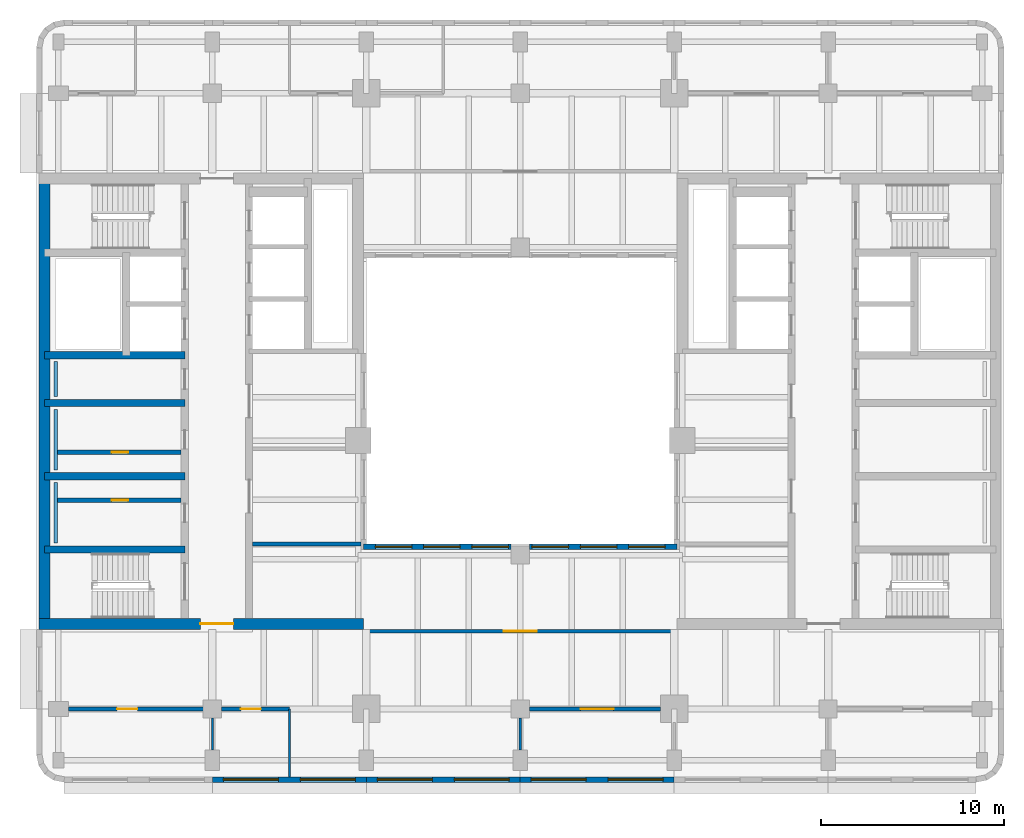
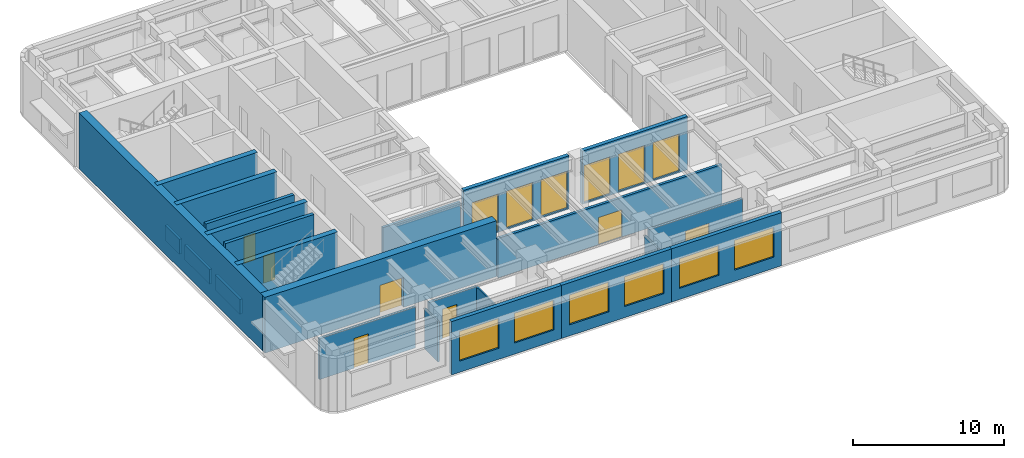
# One storey, part 3 of 13: 24 walls, 12 windows, 7 doors, 19 openings.
"""IFC4 building model written with IfcOpenShell, lengths in metres."""

from ifc_helpers import new_model, si_unit, direction, frame, frame_2d, origin, place, context, subcontext, project, spatial, rectangle, extrude, material, layer, layer_set, type_object, element, fill, save


model = new_model("IFC4")

# Units and contexts
model_context = context("Model", 3, precision=1e-05, world=origin(), true_north=direction((0.0, 1.0)))
body_context = subcontext(model_context, "Body", "Model", "MODEL_VIEW")
ifc_project = project(units=[si_unit("LENGTHUNIT", "METRE"), si_unit("AREAUNIT", "SQUARE_METRE"), si_unit("VOLUMEUNIT", "CUBIC_METRE"), si_unit("PLANEANGLEUNIT", "RADIAN"), si_unit("MASSUNIT", "GRAM", prefix="KILO")], contexts=[model_context])

# Site, building, storey
site_placement = place(None, origin())
site = spatial("IfcSite", under=ifc_project, at=site_placement, CompositionType="ELEMENT")
building_placement = place(site_placement, origin())
building = spatial("IfcBuilding", under=site, at=building_placement, Name="Claustro Exchange Tower", CompositionType="ELEMENT")
storey_placement = place(building_placement, frame((0.0, 0.0, 277.199951171875)))
storey = spatial("IfcBuildingStorey", under=building, at=storey_placement, Name="L63", CompositionType="ELEMENT", Elevation=277.199951171875)

# Walls
ifc_material_1 = material(Name="Laminated glass in aluminium frame", Category="aluminium")
ifc_layer_1 = layer(ifc_material_1, 0.1201171875)
ifc_layer_set_1 = layer_set([ifc_layer_1], Name="Laminated glass in aluminium frame")
wall_type_1 = type_object("IfcWallType", Name="P2 120 glazed partition", PredefinedType="PARTITIONING", material=ifc_layer_set_1)
wall_1_placement = place(storey_placement, frame((8.39990234375, 6.14892578125, 0.0), z_axis=(0.0, 0.0, 1.0), x_axis=(0.0, 1.0, 0.0)))
element("IfcWall", 1, at=wall_1_placement, inside=storey, type_object=wall_type_1, Name="Partition P2 L63", PredefinedType="PARTITIONING", context=body_context, shape_type="SweptSolid", body=[
    extrude(rectangle(XDim=1.751953125, YDim=0.1201171875, at=frame_2d((0.8759765625, 0.0))), origin(), (0.0, 0.0, 1.0), 3.2919921875),
])
wall_2_placement = place(storey_placement, frame((12.60009765625, 4.699951171875, 0.0), z_axis=(0.0, 0.0, 1.0), x_axis=(0.0, 1.0, 0.0)))
element("IfcWall", 2, at=wall_2_placement, inside=storey, type_object=wall_type_1, Name="Partition P2 L63", PredefinedType="PARTITIONING", context=body_context, shape_type="SweptSolid", body=[
    extrude(rectangle(XDim=3.699951171875, YDim=0.1201171875, at=frame_2d((1.85009765625, 0.0))), origin(), (0.0, 0.0, 1.0), 3.2919921875),
])
wall_3_placement = place(storey_placement, frame((25.199951171875, 6.14892578125, 0.0), z_axis=(0.0, 0.0, 1.0), x_axis=(0.0, 1.0, 0.0)))
element("IfcWall", 3, at=wall_3_placement, inside=storey, type_object=wall_type_1, Name="Partition P2 L63", PredefinedType="PARTITIONING", context=body_context, shape_type="SweptSolid", body=[
    extrude(rectangle(XDim=1.751953125, YDim=0.1201171875, at=frame_2d((0.8759765625, 0.0))), origin(), (0.0, 0.0, 1.0), 3.2919921875),
])
ifc_material_2 = material(Name="Twin-skin gypsum board on steel studs, mineral wool", Category="steel")
ifc_layer_2 = layer(ifc_material_2, 0.199951171875)
ifc_layer_set_2 = layer_set([ifc_layer_2], Name="Twin-skin gypsum board on steel studs, mineral wool")
wall_type_2 = type_object("IfcWallType", Name="P3 200 acoustic partition", PredefinedType="PARTITIONING", material=ifc_layer_set_2)
wall_4_placement = place(storey_placement, frame((10.597900390625, 17.39990234375, 0.0), z_axis=(0.0, 0.0, 1.0), x_axis=(1.0, 0.0, 0.0)))
element("IfcWall", 4, at=wall_4_placement, inside=storey, type_object=wall_type_2, Name="Partition P3 L63", PredefinedType="PARTITIONING", context=body_context, shape_type="SweptSolid", body=[
    extrude(rectangle(XDim=5.904052734375, YDim=0.199951171875, at=frame_2d((2.9521484375, 0.0))), origin(), (0.0, 0.0, 1.0), 3.2919921875),
])

# Wall, opening, door
wall_5_placement = place(storey_placement, frame((0.549072265625, 8.39990234375, 0.0), z_axis=(0.0, 0.0, 1.0), x_axis=(1.0, 0.0, 0.0)))
wall_5 = element("IfcWall", 5, at=wall_5_placement, inside=storey, type_object=wall_type_2, Name="Partition P3 L63", PredefinedType="PARTITIONING", context=body_context, shape_type="SweptSolid", body=[
    extrude(rectangle(XDim=7.351806640625, YDim=0.199951171875, at=frame_2d((3.67578125, 0.0))), origin(), (0.0, 0.0, 1.0), 3.2919921875),
])
opening_1_placement = place(wall_5_placement, frame((2.65087890625, 0.0, 0.0)))
opening_1 = element("IfcOpeningElement", 6, at=opening_1_placement, cuts=wall_5, Name="Opening D8", PredefinedType="OPENING", context=body_context, shape_type="SweptSolid", body=[
    extrude(rectangle(XDim=1.10009765625, YDim=2.39990234375, at=frame_2d((0.550048828125, 1.199951171875))), frame((0.0, 0.10986328125, 0.0), z_axis=(0.0, -1.0, 0.0), x_axis=(1.0, 0.0, 0.0)), (0.0, 0.0, 1.0), 0.219970703125),
])
ifc_material_3 = material(Name="Timber door, walnut veneer", Category="wood")
door_type_1 = type_object("IfcDoorType", Name="D8 1100 x 2400 executive door", OperationType="SINGLE_SWING_LEFT", PredefinedType="DOOR", material=ifc_material_3)
door_1_placement = place(opening_1_placement, frame((1.10009765625, 0.0, 0.0), z_axis=(0.0, 0.0, 1.0), x_axis=(-1.0, 0.0, 0.0)))
door_1 = element("IfcDoor", 7, at=door_1_placement, inside=storey, type_object=door_type_1, Name="Door D8 L63", OperationType="SINGLE_SWING_LEFT", OverallHeight=2.39990234375, OverallWidth=1.10009765625, PredefinedType="DOOR", context=body_context, shape_type="SweptSolid", body=[
    extrude(rectangle(XDim=1.10009765625, YDim=2.39990234375, at=frame_2d((0.550048828125, 1.199951171875))), frame((0.0, 0.02490234375, 0.0), z_axis=(0.0, -1.0, 0.0), x_axis=(1.0, 0.0, 0.0)), (0.0, 0.0, 1.0), 0.050048828125),
])
fill(opening_1, door_1)

wall_6_placement = place(storey_placement, frame((8.89892578125, 8.39990234375, 0.0), z_axis=(0.0, 0.0, 1.0), x_axis=(1.0, 0.0, 0.0)))
wall_6 = element("IfcWall", 8, at=wall_6_placement, inside=storey, type_object=wall_type_2, Name="Partition P3 L63", PredefinedType="PARTITIONING", context=body_context, shape_type="SweptSolid", body=[
    extrude(rectangle(XDim=3.701171875, YDim=0.199951171875, at=frame_2d((1.8505859375, 0.0))), origin(), (0.0, 0.0, 1.0), 3.2919921875),
])
opening_2_placement = place(wall_6_placement, frame((1.051025390625, 0.0, 0.0)))
opening_2 = element("IfcOpeningElement", 9, at=opening_2_placement, cuts=wall_6, Name="Opening D8", PredefinedType="OPENING", context=body_context, shape_type="SweptSolid", body=[
    extrude(rectangle(XDim=1.10009765625, YDim=2.39990234375, at=frame_2d((0.550048828125, 1.199951171875))), frame((0.0, 0.10986328125, 0.0), z_axis=(0.0, -1.0, 0.0), x_axis=(1.0, 0.0, 0.0)), (0.0, 0.0, 1.0), 0.219970703125),
])
door_2_placement = place(opening_2_placement, frame((1.10009765625, 0.0, 0.0), z_axis=(0.0, 0.0, 1.0), x_axis=(-1.0, 0.0, 0.0)))
door_2 = element("IfcDoor", 10, at=door_2_placement, inside=storey, type_object=door_type_1, Name="Door D8 L63", OperationType="SINGLE_SWING_RIGHT", OverallHeight=2.39990234375, OverallWidth=1.10009765625, PredefinedType="DOOR", context=body_context, shape_type="SweptSolid", body=[
    extrude(rectangle(XDim=1.10009765625, YDim=2.39990234375, at=frame_2d((0.550048828125, 1.199951171875))), frame((0.0, 0.02490234375, 0.0), z_axis=(0.0, -1.0, 0.0), x_axis=(1.0, 0.0, 0.0)), (0.0, 0.0, 1.0), 0.050048828125),
])
fill(opening_2, door_2)

wall_7_placement = place(storey_placement, frame((25.698974609375, 8.39990234375, 0.0), z_axis=(0.0, 0.0, 1.0), x_axis=(1.0, 0.0, 0.0)))
wall_7 = element("IfcWall", 11, at=wall_7_placement, inside=storey, type_object=wall_type_2, Name="Partition P3 L63", PredefinedType="PARTITIONING", context=body_context, shape_type="SweptSolid", body=[
    extrude(rectangle(XDim=7.152099609375, YDim=0.199951171875, at=frame_2d((3.576171875, 0.0))), origin(), (0.0, 0.0, 1.0), 3.2919921875),
])
opening_3_placement = place(wall_7_placement, frame((2.801025390625, 0.0, 0.0)))
opening_3 = element("IfcOpeningElement", 12, at=opening_3_placement, cuts=wall_7, Name="Opening D2", PredefinedType="OPENING", context=body_context, shape_type="SweptSolid", body=[
    extrude(rectangle(XDim=1.800048828125, YDim=2.199951171875, at=frame_2d((0.89990234375, 1.10009765625))), frame((0.0, 0.10986328125, 0.0), z_axis=(0.0, -1.0, 0.0), x_axis=(1.0, 0.0, 0.0)), (0.0, 0.0, 1.0), 0.219970703125),
])
ifc_material_4 = material(Name="Timber door, oak veneer", Category="wood")
door_type_2 = type_object("IfcDoorType", Name="D2 1800 x 2200 double door", OperationType="DOUBLE_DOOR_SINGLE_SWING", PredefinedType="DOOR", material=ifc_material_4)
door_3_placement = place(opening_3_placement, frame((1.800048828125, 0.0, 0.0), z_axis=(0.0, 0.0, 1.0), x_axis=(-1.0, 0.0, 0.0)))
door_3 = element("IfcDoor", 13, at=door_3_placement, inside=storey, type_object=door_type_2, Name="Double door D2 L63", OperationType="DOUBLE_DOOR_SINGLE_SWING", OverallHeight=2.199951171875, OverallWidth=1.800048828125, PredefinedType="DOOR", context=body_context, shape_type="SweptSolid", body=[
    extrude(rectangle(XDim=1.800048828125, YDim=2.199951171875, at=frame_2d((0.89990234375, 1.10009765625))), frame((0.0, 0.02490234375, 0.0), z_axis=(0.0, -1.0, 0.0), x_axis=(1.0, 0.0, 0.0)), (0.0, 0.0, 1.0), 0.050048828125),
])
fill(opening_3, door_3)

wall_8_placement = place(storey_placement, frame((16.64990234375, 12.64990234375, 0.0), z_axis=(0.0, 0.0, 1.0), x_axis=(1.0, 0.0, 0.0)))
wall_8 = element("IfcWall", 14, at=wall_8_placement, inside=storey, type_object=wall_type_2, Name="Partition P3 L63", PredefinedType="PARTITIONING", context=body_context, shape_type="SweptSolid", body=[
    extrude(rectangle(XDim=17.10009765625, YDim=0.199951171875, at=frame_2d((8.550048828125, 0.0))), origin(), (0.0, 0.0, 1.0), 3.18212890625),
])
opening_4_placement = place(wall_8_placement, frame((7.650146484375, 0.0, 0.0)))
opening_4 = element("IfcOpeningElement", 15, at=opening_4_placement, cuts=wall_8, Name="Opening D2", PredefinedType="OPENING", context=body_context, shape_type="SweptSolid", body=[
    extrude(rectangle(XDim=1.800048828125, YDim=2.199951171875, at=frame_2d((0.89990234375, 1.10009765625))), frame((0.0, 0.10986328125, 0.0), z_axis=(0.0, -1.0, 0.0), x_axis=(1.0, 0.0, 0.0)), (0.0, 0.0, 1.0), 0.219970703125),
])
door_4_placement = place(opening_4_placement, frame((1.800048828125, 0.0, 0.0), z_axis=(0.0, 0.0, 1.0), x_axis=(-1.0, 0.0, 0.0)))
door_4 = element("IfcDoor", 16, at=door_4_placement, inside=storey, type_object=door_type_2, Name="Double door D2 L63", OperationType="DOUBLE_DOOR_SINGLE_SWING", OverallHeight=2.199951171875, OverallWidth=1.800048828125, PredefinedType="DOOR", context=body_context, shape_type="SweptSolid", body=[
    extrude(rectangle(XDim=1.800048828125, YDim=2.199951171875, at=frame_2d((0.89990234375, 1.10009765625))), frame((0.0, 0.02490234375, 0.0), z_axis=(0.0, -1.0, 0.0), x_axis=(1.0, 0.0, 0.0)), (0.0, 0.0, 1.0), 0.050048828125),
])
fill(opening_4, door_4)

ifc_material_5 = material(Name="Concrete blockwork, rendered", Category="masonry")
ifc_layer_3 = layer(ifc_material_5, 0.25)
ifc_layer_set_3 = layer_set([ifc_layer_3], Name="Concrete blockwork, rendered")
wall_type_3 = type_object("IfcWallType", Name="P4 250 blockwork wall", PredefinedType="PARTITIONING", material=ifc_layer_set_3)
wall_9_placement = place(storey_placement, frame((-0.050048828125, 22.39990234375, 0.0), z_axis=(0.0, 0.0, 1.0), x_axis=(1.0, 0.0, 0.0)))
wall_9 = element("IfcWall", 17, at=wall_9_placement, inside=storey, type_object=wall_type_3, Name="Partition P4 L63", PredefinedType="PARTITIONING", context=body_context, shape_type="SweptSolid", body=[
    extrude(rectangle(XDim=6.75, YDim=0.25, at=frame_2d((3.375, 0.0))), origin(), (0.0, 0.0, 1.0), 4.300048828125),
])
opening_5_placement = place(wall_9_placement, frame((2.949951171875, 0.0, 0.0)))
opening_5 = element("IfcOpeningElement", 18, at=opening_5_placement, cuts=wall_9, Name="Opening D5", PredefinedType="OPENING", context=body_context, shape_type="SweptSolid", body=[
    extrude(rectangle(XDim=0.89990234375, YDim=2.199951171875, at=frame_2d((0.449951171875, 1.10009765625))), frame((0.0, 0.135009765625, 0.0), z_axis=(0.0, -1.0, 0.0), x_axis=(1.0, 0.0, 0.0)), (0.0, 0.0, 1.0), 0.27001953125),
])
ifc_material_6 = material(Name="Steel door, painted", Category="steel")
door_type_3 = type_object("IfcDoorType", Name="D5 900 x 2200 store door", OperationType="SINGLE_SWING_LEFT", PredefinedType="DOOR", material=ifc_material_6)
door_5_placement = place(opening_5_placement, frame((0.89990234375, 0.0, 0.0), z_axis=(0.0, 0.0, 1.0), x_axis=(-1.0, 0.0, 0.0)))
door_5 = element("IfcDoor", 19, at=door_5_placement, inside=storey, type_object=door_type_3, Name="Store door D5 L63", OperationType="SINGLE_SWING_LEFT", OverallHeight=2.199951171875, OverallWidth=0.89990234375, PredefinedType="DOOR", context=body_context, shape_type="SweptSolid", body=[
    extrude(rectangle(XDim=0.89990234375, YDim=2.199951171875, at=frame_2d((0.449951171875, 1.10009765625))), frame((0.0, 0.02490234375, 0.0), z_axis=(0.0, -1.0, 0.0), x_axis=(1.0, 0.0, 0.0)), (0.0, 0.0, 1.0), 0.050048828125),
])
fill(opening_5, door_5)

wall_10_placement = place(storey_placement, frame((-0.050048828125, 19.800048828125, 0.0), z_axis=(0.0, 0.0, 1.0), x_axis=(1.0, 0.0, 0.0)))
wall_10 = element("IfcWall", 20, at=wall_10_placement, inside=storey, type_object=wall_type_3, Name="Partition P4 L63", PredefinedType="PARTITIONING", context=body_context, shape_type="SweptSolid", body=[
    extrude(rectangle(XDim=6.75, YDim=0.25, at=frame_2d((3.375, 0.0))), origin(), (0.0, 0.0, 1.0), 4.300048828125),
])
opening_6_placement = place(wall_10_placement, frame((2.949951171875, 0.0, 0.0)))
opening_6 = element("IfcOpeningElement", 21, at=opening_6_placement, cuts=wall_10, Name="Opening D5", PredefinedType="OPENING", context=body_context, shape_type="SweptSolid", body=[
    extrude(rectangle(XDim=0.89990234375, YDim=2.199951171875, at=frame_2d((0.449951171875, 1.10009765625))), frame((0.0, 0.135009765625, 0.0), z_axis=(0.0, -1.0, 0.0), x_axis=(1.0, 0.0, 0.0)), (0.0, 0.0, 1.0), 0.27001953125),
])
door_6_placement = place(opening_6_placement, origin())
door_6 = element("IfcDoor", 22, at=door_6_placement, inside=storey, type_object=door_type_3, Name="Store door D5 L63", OperationType="SINGLE_SWING_RIGHT", OverallHeight=2.199951171875, OverallWidth=0.89990234375, PredefinedType="DOOR", context=body_context, shape_type="SweptSolid", body=[
    extrude(rectangle(XDim=0.89990234375, YDim=2.199951171875, at=frame_2d((0.449951171875, 1.10009765625))), frame((0.0, 0.02490234375, 0.0), z_axis=(0.0, -1.0, 0.0), x_axis=(1.0, 0.0, 0.0)), (0.0, 0.0, 1.0), 0.050048828125),
])
fill(opening_6, door_6)

# Wall, openings, windows
ifc_material_7 = material(Name="Concrete HA-40 (C40/50), precast, white cement, acid-etched", Category="concrete")
ifc_layer_4 = layer(ifc_material_7, 0.300048828125)
ifc_layer_set_4 = layer_set([ifc_layer_4], Name="Concrete HA-40 (C40/50), precast, white cement, acid-etched")
wall_type_4 = type_object("IfcWallType", Name="PC1 300 precast concrete pier panel", PredefinedType="SOLIDWALL", material=ifc_layer_set_4)
wall_11_placement = place(storey_placement, frame((33.60009765625, 4.550048828125, 0.0), z_axis=(0.0, 0.0, 1.0), x_axis=(-1.0, 0.0, 0.0)))
wall_11 = element("IfcWall", 23, at=wall_11_placement, inside=storey, type_object=wall_type_4, Name="Precast pier panel PC1 L63", PredefinedType="SOLIDWALL", context=body_context, shape_type="SweptSolid", body=[
    extrude(rectangle(XDim=8.400146484375, YDim=0.300048828125, at=frame_2d((4.2001953125, 0.0))), origin(), (0.0, 0.0, 1.0), 4.300048828125),
])
opening_7_placement = place(wall_11_placement, frame((0.60009765625, 0.0, 0.89990234375)))
opening_7 = element("IfcOpeningElement", 24, at=opening_7_placement, cuts=wall_11, Name="Opening W3", PredefinedType="OPENING", context=body_context, shape_type="SweptSolid", body=[
    extrude(rectangle(XDim=3.0, YDim=2.39990234375, at=frame_2d((1.5, 1.199951171875))), frame((0.0, 0.159912109375, 0.0), z_axis=(0.0, -1.0, 0.0), x_axis=(1.0, 0.0, 0.0)), (0.0, 0.0, 1.0), 0.320068359375),
])
opening_8_placement = place(wall_11_placement, frame((4.800048828125, 0.0, 0.89990234375)))
opening_8 = element("IfcOpeningElement", 25, at=opening_8_placement, cuts=wall_11, Name="Opening W3", PredefinedType="OPENING", context=body_context, shape_type="SweptSolid", body=[
    extrude(rectangle(XDim=3.0, YDim=2.39990234375, at=frame_2d((1.5, 1.199951171875))), frame((0.0, 0.159912109375, 0.0), z_axis=(0.0, -1.0, 0.0), x_axis=(1.0, 0.0, 0.0)), (0.0, 0.0, 1.0), 0.320068359375),
])
ifc_material_8 = material(Name="Aluminium frame, clear double glazing", Category="aluminium")
window_type_1 = type_object("IfcWindowType", Name="W3 3000 x 2400 window", PartitioningType="SINGLE_PANEL", PredefinedType="WINDOW", material=ifc_material_8)
window_1_placement = place(opening_7_placement, origin())
window_1 = element("IfcWindow", 26, at=window_1_placement, inside=storey, type_object=window_type_1, Name="Window W3 L63", OverallHeight=2.39990234375, OverallWidth=3.0, PartitioningType="SINGLE_PANEL", PredefinedType="WINDOW", context=body_context, shape_type="SweptSolid", body=[
    extrude(rectangle(XDim=3.0, YDim=2.39990234375, at=frame_2d((1.5, 1.199951171875))), frame((0.0, 0.030029296875, 0.0), z_axis=(0.0, -1.0, 0.0), x_axis=(1.0, 0.0, 0.0)), (0.0, 0.0, 1.0), 0.06005859375),
])
fill(opening_7, window_1)
window_2_placement = place(opening_8_placement, origin())
window_2 = element("IfcWindow", 27, at=window_2_placement, inside=storey, type_object=window_type_1, Name="Window W3 L63", OverallHeight=2.39990234375, OverallWidth=3.0, PartitioningType="SINGLE_PANEL", PredefinedType="WINDOW", context=body_context, shape_type="SweptSolid", body=[
    extrude(rectangle(XDim=3.0, YDim=2.39990234375, at=frame_2d((1.5, 1.199951171875))), frame((0.0, 0.030029296875, 0.0), z_axis=(0.0, -1.0, 0.0), x_axis=(1.0, 0.0, 0.0)), (0.0, 0.0, 1.0), 0.06005859375),
])
fill(opening_8, window_2)

wall_12_placement = place(storey_placement, frame((25.199951171875, 4.550048828125, 0.0), z_axis=(0.0, 0.0, 1.0), x_axis=(-1.0, 0.0, 0.0)))
wall_12 = element("IfcWall", 28, at=wall_12_placement, inside=storey, type_object=wall_type_4, Name="Precast pier panel PC1 L63", PredefinedType="SOLIDWALL", context=body_context, shape_type="SweptSolid", body=[
    extrude(rectangle(XDim=8.39990234375, YDim=0.300048828125, at=frame_2d((4.199951171875, 0.0))), origin(), (0.0, 0.0, 1.0), 4.300048828125),
])
opening_9_placement = place(wall_12_placement, frame((0.60009765625, 0.0, 0.89990234375)))
opening_9 = element("IfcOpeningElement", 29, at=opening_9_placement, cuts=wall_12, Name="Opening W3", PredefinedType="OPENING", context=body_context, shape_type="SweptSolid", body=[
    extrude(rectangle(XDim=3.0, YDim=2.39990234375, at=frame_2d((1.5, 1.199951171875))), frame((0.0, 0.159912109375, 0.0), z_axis=(0.0, -1.0, 0.0), x_axis=(1.0, 0.0, 0.0)), (0.0, 0.0, 1.0), 0.320068359375),
])
opening_10_placement = place(wall_12_placement, frame((4.800048828125, 0.0, 0.89990234375)))
opening_10 = element("IfcOpeningElement", 30, at=opening_10_placement, cuts=wall_12, Name="Opening W3", PredefinedType="OPENING", context=body_context, shape_type="SweptSolid", body=[
    extrude(rectangle(XDim=3.0, YDim=2.39990234375, at=frame_2d((1.5, 1.199951171875))), frame((0.0, 0.159912109375, 0.0), z_axis=(0.0, -1.0, 0.0), x_axis=(1.0, 0.0, 0.0)), (0.0, 0.0, 1.0), 0.320068359375),
])
window_3_placement = place(opening_9_placement, origin())
window_3 = element("IfcWindow", 31, at=window_3_placement, inside=storey, type_object=window_type_1, Name="Window W3 L63", OverallHeight=2.39990234375, OverallWidth=3.0, PartitioningType="SINGLE_PANEL", PredefinedType="WINDOW", context=body_context, shape_type="SweptSolid", body=[
    extrude(rectangle(XDim=3.0, YDim=2.39990234375, at=frame_2d((1.5, 1.199951171875))), frame((0.0, 0.030029296875, 0.0), z_axis=(0.0, -1.0, 0.0), x_axis=(1.0, 0.0, 0.0)), (0.0, 0.0, 1.0), 0.06005859375),
])
fill(opening_9, window_3)
window_4_placement = place(opening_10_placement, origin())
window_4 = element("IfcWindow", 32, at=window_4_placement, inside=storey, type_object=window_type_1, Name="Window W3 L63", OverallHeight=2.39990234375, OverallWidth=3.0, PartitioningType="SINGLE_PANEL", PredefinedType="WINDOW", context=body_context, shape_type="SweptSolid", body=[
    extrude(rectangle(XDim=3.0, YDim=2.39990234375, at=frame_2d((1.5, 1.199951171875))), frame((0.0, 0.030029296875, 0.0), z_axis=(0.0, -1.0, 0.0), x_axis=(1.0, 0.0, 0.0)), (0.0, 0.0, 1.0), 0.06005859375),
])
fill(opening_10, window_4)

wall_13_placement = place(storey_placement, frame((16.800048828125, 4.550048828125, 0.0), z_axis=(0.0, 0.0, 1.0), x_axis=(-1.0, 0.0, 0.0)))
wall_13 = element("IfcWall", 33, at=wall_13_placement, inside=storey, type_object=wall_type_4, Name="Precast pier panel PC1 L63", PredefinedType="SOLIDWALL", context=body_context, shape_type="SweptSolid", body=[
    extrude(rectangle(XDim=8.400146484375, YDim=0.300048828125, at=frame_2d((4.2001953125, 0.0))), origin(), (0.0, 0.0, 1.0), 4.300048828125),
])
opening_11_placement = place(wall_13_placement, frame((0.60009765625, 0.0, 0.89990234375)))
opening_11 = element("IfcOpeningElement", 34, at=opening_11_placement, cuts=wall_13, Name="Opening W3", PredefinedType="OPENING", context=body_context, shape_type="SweptSolid", body=[
    extrude(rectangle(XDim=3.0, YDim=2.39990234375, at=frame_2d((1.5, 1.199951171875))), frame((0.0, 0.159912109375, 0.0), z_axis=(0.0, -1.0, 0.0), x_axis=(1.0, 0.0, 0.0)), (0.0, 0.0, 1.0), 0.320068359375),
])
opening_12_placement = place(wall_13_placement, frame((4.800048828125, 0.0, 0.89990234375)))
opening_12 = element("IfcOpeningElement", 35, at=opening_12_placement, cuts=wall_13, Name="Opening W3", PredefinedType="OPENING", context=body_context, shape_type="SweptSolid", body=[
    extrude(rectangle(XDim=3.0, YDim=2.39990234375, at=frame_2d((1.5, 1.199951171875))), frame((0.0, 0.159912109375, 0.0), z_axis=(0.0, -1.0, 0.0), x_axis=(1.0, 0.0, 0.0)), (0.0, 0.0, 1.0), 0.320068359375),
])
window_5_placement = place(opening_11_placement, origin())
window_5 = element("IfcWindow", 36, at=window_5_placement, inside=storey, type_object=window_type_1, Name="Window W3 L63", OverallHeight=2.39990234375, OverallWidth=3.0, PartitioningType="SINGLE_PANEL", PredefinedType="WINDOW", context=body_context, shape_type="SweptSolid", body=[
    extrude(rectangle(XDim=3.0, YDim=2.39990234375, at=frame_2d((1.5, 1.199951171875))), frame((0.0, 0.030029296875, 0.0), z_axis=(0.0, -1.0, 0.0), x_axis=(1.0, 0.0, 0.0)), (0.0, 0.0, 1.0), 0.06005859375),
])
fill(opening_11, window_5)
window_6_placement = place(opening_12_placement, origin())
window_6 = element("IfcWindow", 37, at=window_6_placement, inside=storey, type_object=window_type_1, Name="Window W3 L63", OverallHeight=2.39990234375, OverallWidth=3.0, PartitioningType="SINGLE_PANEL", PredefinedType="WINDOW", context=body_context, shape_type="SweptSolid", body=[
    extrude(rectangle(XDim=3.0, YDim=2.39990234375, at=frame_2d((1.5, 1.199951171875))), frame((0.0, 0.030029296875, 0.0), z_axis=(0.0, -1.0, 0.0), x_axis=(1.0, 0.0, 0.0)), (0.0, 0.0, 1.0), 0.06005859375),
])
fill(opening_12, window_6)

wall_14_placement = place(storey_placement, frame((16.64990234375, 17.25, 0.0), z_axis=(0.0, 0.0, 1.0), x_axis=(1.0, 0.0, 0.0)))
wall_14 = element("IfcWall", 38, at=wall_14_placement, inside=storey, type_object=wall_type_4, Name="Precast pier panel PC1 L63", PredefinedType="SOLIDWALL", context=body_context, shape_type="SweptSolid", body=[
    extrude(rectangle(XDim=8.050048828125, YDim=0.300048828125, at=frame_2d((4.02490234375, 0.0))), origin(), (0.0, 0.0, 1.0), 4.300048828125),
])
opening_13_placement = place(wall_14_placement, frame((0.637451171875, 0.0, 0.10009765625)))
opening_13 = element("IfcOpeningElement", 39, at=opening_13_placement, cuts=wall_14, Name="Opening W-A", PredefinedType="OPENING", context=body_context, shape_type="SweptSolid", body=[
    extrude(rectangle(XDim=2.0, YDim=3.0, at=frame_2d((1.0, 1.5))), frame((0.0, 0.159912109375, 0.0), z_axis=(0.0, -1.0, 0.0), x_axis=(1.0, 0.0, 0.0)), (0.0, 0.0, 1.0), 0.320068359375),
])
opening_14_placement = place(wall_14_placement, frame((3.27490234375, 0.0, 0.10009765625)))
opening_14 = element("IfcOpeningElement", 40, at=opening_14_placement, cuts=wall_14, Name="Opening W-A", PredefinedType="OPENING", context=body_context, shape_type="SweptSolid", body=[
    extrude(rectangle(XDim=2.0, YDim=3.0, at=frame_2d((1.0, 1.5))), frame((0.0, 0.159912109375, 0.0), z_axis=(0.0, -1.0, 0.0), x_axis=(1.0, 0.0, 0.0)), (0.0, 0.0, 1.0), 0.320068359375),
])
opening_15_placement = place(wall_14_placement, frame((5.91259765625, 0.0, 0.10009765625)))
opening_15 = element("IfcOpeningElement", 41, at=opening_15_placement, cuts=wall_14, Name="Opening W-A", PredefinedType="OPENING", context=body_context, shape_type="SweptSolid", body=[
    extrude(rectangle(XDim=2.0, YDim=3.0, at=frame_2d((1.0, 1.5))), frame((0.0, 0.159912109375, 0.0), z_axis=(0.0, -1.0, 0.0), x_axis=(1.0, 0.0, 0.0)), (0.0, 0.0, 1.0), 0.320068359375),
])
ifc_material_9 = material(Name="Aluminium frame, clear double glazing", Category="aluminium")
window_type_2 = type_object("IfcWindowType", Name="W-A 2000 x 3000 arcade window", PartitioningType="SINGLE_PANEL", PredefinedType="WINDOW", material=ifc_material_9)
window_7_placement = place(opening_13_placement, origin())
window_7 = element("IfcWindow", 42, at=window_7_placement, inside=storey, type_object=window_type_2, Name="Window W-A L63", OverallHeight=3.0, OverallWidth=2.0, PartitioningType="SINGLE_PANEL", PredefinedType="WINDOW", context=body_context, shape_type="SweptSolid", body=[
    extrude(rectangle(XDim=2.0, YDim=3.0, at=frame_2d((1.0, 1.5))), frame((0.0, 0.030029296875, 0.0), z_axis=(0.0, -1.0, 0.0), x_axis=(1.0, 0.0, 0.0)), (0.0, 0.0, 1.0), 0.06005859375),
])
fill(opening_13, window_7)
window_8_placement = place(opening_14_placement, origin())
window_8 = element("IfcWindow", 43, at=window_8_placement, inside=storey, type_object=window_type_2, Name="Window W-A L63", OverallHeight=3.0, OverallWidth=2.0, PartitioningType="SINGLE_PANEL", PredefinedType="WINDOW", context=body_context, shape_type="SweptSolid", body=[
    extrude(rectangle(XDim=2.0, YDim=3.0, at=frame_2d((1.0, 1.5))), frame((0.0, 0.030029296875, 0.0), z_axis=(0.0, -1.0, 0.0), x_axis=(1.0, 0.0, 0.0)), (0.0, 0.0, 1.0), 0.06005859375),
])
fill(opening_14, window_8)
window_9_placement = place(opening_15_placement, origin())
window_9 = element("IfcWindow", 44, at=window_9_placement, inside=storey, type_object=window_type_2, Name="Window W-A L63", OverallHeight=3.0, OverallWidth=2.0, PartitioningType="SINGLE_PANEL", PredefinedType="WINDOW", context=body_context, shape_type="SweptSolid", body=[
    extrude(rectangle(XDim=2.0, YDim=3.0, at=frame_2d((1.0, 1.5))), frame((0.0, 0.030029296875, 0.0), z_axis=(0.0, -1.0, 0.0), x_axis=(1.0, 0.0, 0.0)), (0.0, 0.0, 1.0), 0.06005859375),
])
fill(opening_15, window_9)

wall_15_placement = place(storey_placement, frame((25.699951171875, 17.25, 0.0), z_axis=(0.0, 0.0, 1.0), x_axis=(1.0, 0.0, 0.0)))
wall_15 = element("IfcWall", 45, at=wall_15_placement, inside=storey, type_object=wall_type_4, Name="Precast pier panel PC1 L63", PredefinedType="SOLIDWALL", context=body_context, shape_type="SweptSolid", body=[
    extrude(rectangle(XDim=8.050048828125, YDim=0.300048828125, at=frame_2d((4.02490234375, 0.0))), origin(), (0.0, 0.0, 1.0), 4.300048828125),
])
opening_16_placement = place(wall_15_placement, frame((0.137451171875, 0.0, 0.10009765625)))
opening_16 = element("IfcOpeningElement", 46, at=opening_16_placement, cuts=wall_15, Name="Opening W-A", PredefinedType="OPENING", context=body_context, shape_type="SweptSolid", body=[
    extrude(rectangle(XDim=2.0, YDim=3.0, at=frame_2d((1.0, 1.5))), frame((0.0, 0.159912109375, 0.0), z_axis=(0.0, -1.0, 0.0), x_axis=(1.0, 0.0, 0.0)), (0.0, 0.0, 1.0), 0.320068359375),
])
opening_17_placement = place(wall_15_placement, frame((2.77490234375, 0.0, 0.10009765625)))
opening_17 = element("IfcOpeningElement", 47, at=opening_17_placement, cuts=wall_15, Name="Opening W-A", PredefinedType="OPENING", context=body_context, shape_type="SweptSolid", body=[
    extrude(rectangle(XDim=2.0, YDim=3.0, at=frame_2d((1.0, 1.5))), frame((0.0, 0.159912109375, 0.0), z_axis=(0.0, -1.0, 0.0), x_axis=(1.0, 0.0, 0.0)), (0.0, 0.0, 1.0), 0.320068359375),
])
opening_18_placement = place(wall_15_placement, frame((5.41259765625, 0.0, 0.10009765625)))
opening_18 = element("IfcOpeningElement", 48, at=opening_18_placement, cuts=wall_15, Name="Opening W-A", PredefinedType="OPENING", context=body_context, shape_type="SweptSolid", body=[
    extrude(rectangle(XDim=2.0, YDim=3.0, at=frame_2d((1.0, 1.5))), frame((0.0, 0.159912109375, 0.0), z_axis=(0.0, -1.0, 0.0), x_axis=(1.0, 0.0, 0.0)), (0.0, 0.0, 1.0), 0.320068359375),
])
window_10_placement = place(opening_16_placement, origin())
window_10 = element("IfcWindow", 49, at=window_10_placement, inside=storey, type_object=window_type_2, Name="Window W-A L63", OverallHeight=3.0, OverallWidth=2.0, PartitioningType="SINGLE_PANEL", PredefinedType="WINDOW", context=body_context, shape_type="SweptSolid", body=[
    extrude(rectangle(XDim=2.0, YDim=3.0, at=frame_2d((1.0, 1.5))), frame((0.0, 0.030029296875, 0.0), z_axis=(0.0, -1.0, 0.0), x_axis=(1.0, 0.0, 0.0)), (0.0, 0.0, 1.0), 0.06005859375),
])
fill(opening_16, window_10)
window_11_placement = place(opening_17_placement, origin())
window_11 = element("IfcWindow", 50, at=window_11_placement, inside=storey, type_object=window_type_2, Name="Window W-A L63", OverallHeight=3.0, OverallWidth=2.0, PartitioningType="SINGLE_PANEL", PredefinedType="WINDOW", context=body_context, shape_type="SweptSolid", body=[
    extrude(rectangle(XDim=2.0, YDim=3.0, at=frame_2d((1.0, 1.5))), frame((0.0, 0.030029296875, 0.0), z_axis=(0.0, -1.0, 0.0), x_axis=(1.0, 0.0, 0.0)), (0.0, 0.0, 1.0), 0.06005859375),
])
fill(opening_17, window_11)
window_12_placement = place(opening_18_placement, origin())
window_12 = element("IfcWindow", 51, at=window_12_placement, inside=storey, type_object=window_type_2, Name="Window W-A L63", OverallHeight=3.0, OverallWidth=2.0, PartitioningType="SINGLE_PANEL", PredefinedType="WINDOW", context=body_context, shape_type="SweptSolid", body=[
    extrude(rectangle(XDim=2.0, YDim=3.0, at=frame_2d((1.0, 1.5))), frame((0.0, 0.030029296875, 0.0), z_axis=(0.0, -1.0, 0.0), x_axis=(1.0, 0.0, 0.0)), (0.0, 0.0, 1.0), 0.06005859375),
])
fill(opening_18, window_12)

# Walls
ifc_material_10 = material(Name="Gypsum board on steel studs, tiled", Category="steel")
ifc_layer_5 = layer(ifc_material_10, 0.199951171875)
ifc_layer_set_5 = layer_set([ifc_layer_5], Name="Gypsum board on steel studs, tiled")
wall_type_5 = type_object("IfcWallType", Name="PW1 200 WC duct wall", PredefinedType="PLUMBINGWALL", material=ifc_layer_set_5)
for number, where, z_axis, x_axis, name in (
    (52, (-0.14990234375, 17.449951171875, 0.0), (0.0, 0.0, 1.0), (0.0, 1.0, 0.0), "WC duct wall PW1 L63"),
    (53, (-0.14990234375, 21.449951171875, 0.0), (0.0, 0.0, 1.0), (0.0, 1.0, 0.0), "WC duct wall PW1 L63"),
):
    element("IfcWall", number, at=place(storey_placement, frame(where, z_axis=z_axis, x_axis=x_axis)), inside=storey, type_object=wall_type_5, Name=name, PredefinedType="PLUMBINGWALL", context=body_context, shape_type="SweptSolid", body=[
        extrude(rectangle(XDim=3.300048828125, YDim=0.199951171875, at=frame_2d((1.64990234375, 0.0))), origin(), (0.0, 0.0, 1.0), 1.199951171875),
    ])
wall_16_placement = place(storey_placement, frame((-0.14990234375, 25.449951171875, 0.0), z_axis=(0.0, 0.0, 1.0), x_axis=(0.0, 1.0, 0.0)))
element("IfcWall", 54, at=wall_16_placement, inside=storey, type_object=wall_type_5, Name="WC duct wall PW1 L63", PredefinedType="PLUMBINGWALL", context=body_context, shape_type="SweptSolid", body=[
    extrude(rectangle(XDim=1.900146484375, YDim=0.199951171875, at=frame_2d((0.9501953125, 0.0))), origin(), (0.0, 0.0, 1.0), 1.199951171875),
])

# Wall, opening, door
ifc_material_11 = material(Name="Concrete HA-50 (C50/60)", Category="concrete")
ifc_layer_6 = layer(ifc_material_11, 0.60009765625)
ifc_layer_set_6 = layer_set([ifc_layer_6], Name="Concrete HA-50 (C50/60)")
wall_type_6 = type_object("IfcWallType", Name="SW3 600 core shear wall", PredefinedType="SHEAR", material=ifc_layer_set_6)
wall_17_placement = place(storey_placement, frame((-1.050048828125, 13.050048828125, 0.0), z_axis=(0.0, 0.0, 1.0), x_axis=(1.0, 0.0, 0.0)))
wall_17 = element("IfcWall", 55, at=wall_17_placement, inside=storey, type_object=wall_type_6, Name="Core wall SW3 W core S face L63", PredefinedType="SHEAR", context=body_context, shape_type="SweptSolid", body=[
    extrude(rectangle(XDim=17.699951171875, YDim=0.60009765625, at=frame_2d((8.85009765625, 0.0))), origin(), (0.0, 0.0, 1.0), 4.5),
])
opening_19_placement = place(wall_17_placement, frame((8.800048828125, 0.0, 0.0)))
opening_19 = element("IfcOpeningElement", 56, at=opening_19_placement, cuts=wall_17, Name="Opening D3", PredefinedType="OPENING", context=body_context, shape_type="SweptSolid", body=[
    extrude(rectangle(XDim=1.800048828125, YDim=2.39990234375, at=frame_2d((0.89990234375, 1.199951171875))), frame((0.0, 0.31005859375, 0.0), z_axis=(0.0, -1.0, 0.0), x_axis=(1.0, 0.0, 0.0)), (0.0, 0.0, 1.0), 0.6201171875),
])
ifc_material_12 = material(Name="Steel fire door, painted", Category="steel")
door_type_4 = type_object("IfcDoorType", Name="D3 1800 x 2400 fire-rated lobby double door", OperationType="DOUBLE_DOOR_SINGLE_SWING", PredefinedType="DOOR", material=ifc_material_12)
door_7_placement = place(opening_19_placement, origin())
door_7 = element("IfcDoor", 57, at=door_7_placement, inside=storey, type_object=door_type_4, Name="Lift lobby door D3 L63", OperationType="DOUBLE_DOOR_SINGLE_SWING", OverallHeight=2.39990234375, OverallWidth=1.800048828125, PredefinedType="DOOR", context=body_context, shape_type="SweptSolid", body=[
    extrude(rectangle(XDim=1.800048828125, YDim=2.39990234375, at=frame_2d((0.89990234375, 1.199951171875))), frame((0.0, 0.02490234375, 0.0), z_axis=(0.0, -1.0, 0.0), x_axis=(1.0, 0.0, 0.0)), (0.0, 0.0, 1.0), 0.050048828125),
])
fill(opening_19, door_7)

# Walls
ifc_material_13 = material(Name="Concrete HA-50 (C50/60)", Category="concrete")
ifc_layer_7 = layer(ifc_material_13, 0.60009765625)
ifc_layer_set_7 = layer_set([ifc_layer_7], Name="Concrete HA-50 (C50/60)")
wall_type_7 = type_object("IfcWallType", Name="SW3X 600 exposed core shear wall, board-marked face", PredefinedType="SHEAR", material=ifc_layer_set_7)
wall_18_placement = place(storey_placement, frame((-0.75, 13.050048828125, 0.0), z_axis=(0.0, 0.0, 1.0), x_axis=(0.0, 1.0, 0.0)))
element("IfcWall", 58, at=wall_18_placement, inside=storey, type_object=wall_type_7, Name="Core wall SW3X W core W face L63", PredefinedType="SHEAR", context=body_context, shape_type="SweptSolid", body=[
    extrude(rectangle(XDim=24.300048828125, YDim=0.60009765625, at=frame_2d((12.14990234375, 0.0))), origin(), (0.0, 0.0, 1.0), 4.5),
])
ifc_material_14 = material(Name="Concrete HA-50 (C50/60)", Category="concrete")
ifc_layer_8 = layer(ifc_material_14, 0.39990234375)
ifc_layer_set_8 = layer_set([ifc_layer_8], Name="Concrete HA-50 (C50/60)")
wall_type_8 = type_object("IfcWallType", Name="SW4 400 internal core wall", PredefinedType="SHEAR", material=ifc_layer_set_8)
for number, where, z_axis, x_axis, name in (
    (59, (-0.75, 17.10009765625, 0.0), (0.0, 0.0, 1.0), (1.0, 0.0, 0.0), "Internal core wall SW4 W core L63"),
    (60, (-0.75, 21.10009765625, 0.0), (0.0, 0.0, 1.0), (1.0, 0.0, 0.0), "Internal core wall SW4 W core L63"),
    (61, (-0.75, 25.10009765625, 0.0), (0.0, 0.0, 1.0), (1.0, 0.0, 0.0), "Internal core wall SW4 W core L63"),
    (62, (-0.75, 27.699951171875, 0.0), (0.0, 0.0, 1.0), (1.0, 0.0, 0.0), "Internal core wall SW4 W core L63"),
):
    element("IfcWall", number, at=place(storey_placement, frame(where, z_axis=z_axis, x_axis=x_axis)), inside=storey, type_object=wall_type_8, Name=name, PredefinedType="SHEAR", context=body_context, shape_type="SweptSolid", body=[
        extrude(rectangle(XDim=7.64990234375, YDim=0.39990234375, at=frame_2d((3.824951171875, 0.0))), origin(), (0.0, 0.0, 1.0), 4.5),
    ])

save(model, "model.ifc")
